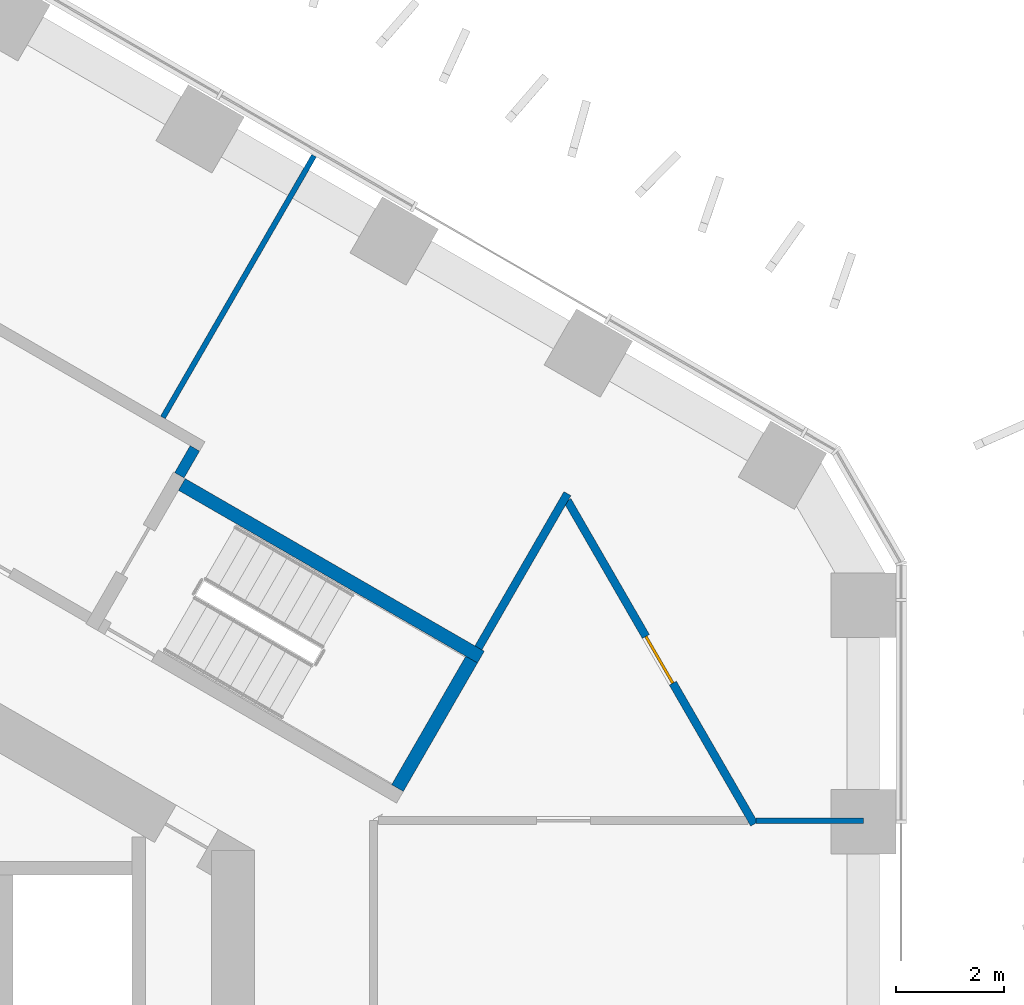
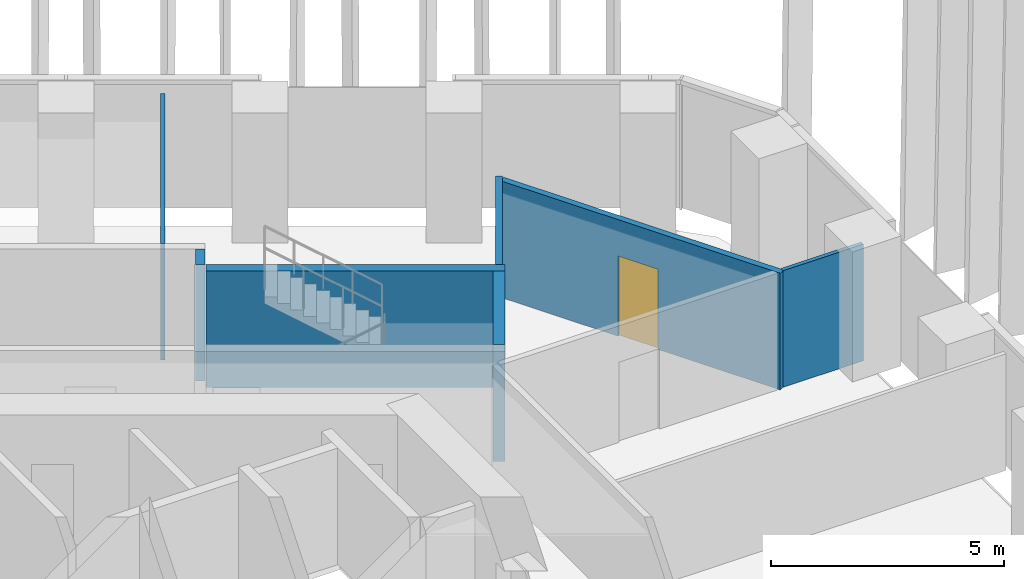
# One storey, part 16 of 20: 7 walls, 1 door, 1 opening.
"""IFC4 building model written with IfcOpenShell, lengths in metres."""

import ifcopenshell
import ifcopenshell.guid

model = None  # the IFC model being written
_history = None  # IfcOwnerHistory: only IFC2X3 demands one
_inside = {}  # id of a spatial element -> (the spatial element, [elements in it])
_under = {}  # id of a project, library or spatial element -> (it, [spatial elements below it])
_declared = {}  # id of a project -> (the project, [libraries it declares])
_typed = {}  # id of a type object -> (the type object, [elements of that type])
_made_of = {}  # id of a material, layer set ... -> (it, [elements and type objects made of it])


def new_model(schema):
    """Start an empty IFC model of exactly this schema.

    Asked for "IFC4X3", IfcOpenShell would pick the latest addendum, in which some entities
    have other attributes; the version numbers below select the first issue.
    IFC2X3 requires an IfcOwnerHistory on every rooted entity: one is made here for all.
    """
    global model, _history
    if schema == "IFC4X3":
        model = ifcopenshell.file(schema_version=(4, 3, 0, 0))
    else:
        model = ifcopenshell.file(schema=schema)
    _inside.clear()
    _under.clear()
    _declared.clear()
    _typed.clear()
    _made_of.clear()
    _history = None
    if model.schema == "IFC2X3":
        org = make("IfcOrganization", Name="unknown")
        user = make(
            "IfcPersonAndOrganization",
            ThePerson=make("IfcPerson", FamilyName="unknown"),
            TheOrganization=org,
        )
        app = make(
            "IfcApplication",
            ApplicationDeveloper=org,
            Version="unknown",
            ApplicationFullName="unknown",
            ApplicationIdentifier="unknown",
        )
        _history = make(
            "IfcOwnerHistory",
            OwningUser=user,
            OwningApplication=app,
            ChangeAction="ADDED",
            CreationDate=0,
        )
    return model


def make(cls, **values):
    """One entity of the class cls with the attributes given. An attribute that is None is left unset."""
    return model.create_entity(
        cls, **{name: value for name, value in values.items() if value is not None}
    )


def rooted(cls, **values):
    """An entity with a GlobalId (a new one), such as an element, a storey or a relation."""
    return make(cls, GlobalId=ifcopenshell.guid.new(), OwnerHistory=_history, **values)


def si_unit(unit_type, name, prefix=None):
    """IfcSIUnit, for example si_unit("LENGTHUNIT", "METRE", prefix="MILLI")."""
    return make("IfcSIUnit", UnitType=unit_type, Prefix=prefix, Name=name)


def assignment(units):
    """IfcUnitAssignment: the units of a project."""
    return None if units is None else make("IfcUnitAssignment", Units=units)


def point(xyz):
    """IfcCartesianPoint."""
    return None if xyz is None else make("IfcCartesianPoint", Coordinates=xyz)


def direction(xyz):
    """IfcDirection."""
    return None if xyz is None else make("IfcDirection", DirectionRatios=xyz)


def frame(location, z_axis=None, x_axis=None):
    """IfcAxis2Placement3D, a coordinate frame: its origin and axes. An axis left out is left unset."""
    return make(
        "IfcAxis2Placement3D",
        Location=point(location),
        Axis=direction(z_axis),
        RefDirection=direction(x_axis),
    )


def frame_2d(location, x_axis=None):
    """IfcAxis2Placement2D, a coordinate frame in the plane: its origin and x axis."""
    return make(
        "IfcAxis2Placement2D", Location=point(location), RefDirection=direction(x_axis)
    )


def origin():
    """The frame at (0, 0, 0) with its axes left unset."""
    return frame((0.0, 0.0, 0.0))


def place(relative_to, where):
    """IfcLocalPlacement: puts the frame where relative to a parent placement (None: the world)."""
    return make(
        "IfcLocalPlacement", PlacementRelTo=relative_to, RelativePlacement=where
    )


def context(
    kind, dimensions, precision=None, world=None, true_north=None, identifier=None
):
    """IfcGeometricRepresentationContext, for example the 3D "Model" context."""
    return make(
        "IfcGeometricRepresentationContext",
        ContextIdentifier=identifier,
        ContextType=kind,
        CoordinateSpaceDimension=dimensions,
        Precision=precision,
        WorldCoordinateSystem=world,
        TrueNorth=true_north,
    )


def subcontext(parent, identifier, kind, view, scale=None):
    """IfcGeometricRepresentationSubContext, for example "Body" below "Model"."""
    return make(
        "IfcGeometricRepresentationSubContext",
        ContextIdentifier=identifier,
        ContextType=kind,
        ParentContext=parent,
        TargetScale=scale,
        TargetView=view,
    )


def project(units=None, contexts=None):
    """IfcProject with its units and contexts."""
    return rooted(
        "IfcProject",
        Name="project",
        RepresentationContexts=contexts,
        UnitsInContext=assignment(units),
    )


def spatial(cls, under=None, at=None, **own):
    """A site, building, storey or space (cls), placed at a placement, below another one or the project."""
    s = rooted(cls, ObjectPlacement=at, **own)
    if under is not None:
        _under.setdefault(under.id(), (under, []))[1].append(s)
    return s


def profile(cls, at=None, kind="AREA", **sizes):
    """A parametric profile (cls). Its sizes go by their IFC names, for example OverallWidth=200.0."""
    return make(cls, ProfileType=kind, Position=at, **sizes)


def rectangle(**sizes):
    """IfcRectangleProfileDef."""
    return profile("IfcRectangleProfileDef", **sizes)


def extrude(swept, where, along, depth):
    """IfcExtrudedAreaSolid: the profile swept, set in the frame where, extruded along a direction by depth."""
    return make(
        "IfcExtrudedAreaSolid",
        SweptArea=swept,
        Position=where,
        ExtrudedDirection=direction(along),
        Depth=depth,
    )


def shape(context_of_items, identifier, shape_type, items):
    """IfcShapeRepresentation: the items that make up one representation, for example the "Body"."""
    return make(
        "IfcShapeRepresentation",
        ContextOfItems=context_of_items,
        RepresentationIdentifier=identifier,
        RepresentationType=shape_type,
        Items=items,
    )


def material(Name=None, Category=None):
    """IfcMaterial."""
    return make("IfcMaterial", Name=Name, Category=Category)


def layer(
    of_material, thickness, ventilated=None, Name=None, Category=None, Priority=None
):
    """IfcMaterialLayer: one layer of a wall or slab, of a material (None: an air gap)."""
    return make(
        "IfcMaterialLayer",
        Material=of_material,
        LayerThickness=thickness,
        IsVentilated=ventilated,
        Name=Name,
        Category=Category,
        Priority=Priority,
    )


def layer_set(layers, Name=None):
    """IfcMaterialLayerSet."""
    return make("IfcMaterialLayerSet", MaterialLayers=layers, LayerSetName=Name)


def made_of(thing, what):
    """Note that an element or type object is made of a material, layer set ...; save() writes the relation."""
    if what is not None:
        _made_of.setdefault(what.id(), (what, []))[1].append(thing)
    return thing


def type_object(cls, material=None, **own):
    """A type object (cls), such as IfcWallType, which elements share."""
    return made_of(rooted(cls, **own), material)


def element(
    cls,
    number,
    at=None,
    inside=None,
    cuts=None,
    type_object=None,
    material=None,
    context=None,
    identifier="Body",
    shape_type=None,
    held_by="IfcProductDefinitionShape",
    body=None,
    shapes=None,
    **own,
):
    """One element of the class cls, such as IfcWall. Its Tag is "e" and its number.

    at: its placement. inside: the storey or other place that contains it. cuts: it is an
    opening in that element (IfcRelVoidsElement). A single representation is given by context,
    identifier, shape_type and body (its items); several are given by shapes. held_by: the class
    of the entity that holds the representations. save() writes the other relations.
    """
    e = rooted(cls, Tag="e%d" % number, ObjectPlacement=at, **own)
    if body is not None:
        shapes = [shape(context, identifier, shape_type, body)]
    if shapes is not None:
        e.Representation = make(held_by, Representations=shapes)
    if inside is not None:
        _inside.setdefault(inside.id(), (inside, []))[1].append(e)
    if cuts is not None:
        rooted(
            "IfcRelVoidsElement", RelatingBuildingElement=cuts, RelatedOpeningElement=e
        )
    if type_object is not None:
        _typed.setdefault(type_object.id(), (type_object, []))[1].append(e)
    return made_of(e, material)


def fill(opening, filler):
    """IfcRelFillsElement: the door or window that sits in an opening."""
    return rooted(
        "IfcRelFillsElement",
        RelatingOpeningElement=opening,
        RelatedBuildingElement=filler,
    )


def aggregate(whole, parts):
    """IfcRelAggregates: a whole, such as a stair, and the parts it consists of."""
    return rooted("IfcRelAggregates", RelatingObject=whole, RelatedObjects=parts)


def save(model, path):
    """Write the relations noted so far, then the file.

    IfcRelAggregates (storeys below a building ...), IfcRelContainedInSpatialStructure (elements
    in a storey), IfcRelDefinesByType, IfcRelAssociatesMaterial and IfcRelDeclares: one each for
    every whole, place, type object, material and project.
    """
    for whole, parts in _under.values():
        aggregate(whole, parts)
    for where, things in _inside.values():
        rooted(
            "IfcRelContainedInSpatialStructure",
            RelatedElements=things,
            RelatingStructure=where,
        )
    for kind, things in _typed.values():
        rooted("IfcRelDefinesByType", RelatedObjects=things, RelatingType=kind)
    for what, things in _made_of.values():
        rooted("IfcRelAssociatesMaterial", RelatedObjects=things, RelatingMaterial=what)
    for by, libraries in _declared.values():
        rooted("IfcRelDeclares", RelatingContext=by, RelatedDefinitions=libraries)
    model.write(path)


model = new_model("IFC4")

# Units and contexts
model_context = context("Model", 3, precision=1e-05, world=origin(), true_north=direction((0.0, 1.0)))
body_context = subcontext(model_context, "Body", "Model", "MODEL_VIEW")
ifc_project = project(units=[si_unit("LENGTHUNIT", "METRE"), si_unit("AREAUNIT", "SQUARE_METRE"), si_unit("VOLUMEUNIT", "CUBIC_METRE"), si_unit("PLANEANGLEUNIT", "RADIAN"), si_unit("MASSUNIT", "GRAM", prefix="KILO")], contexts=[model_context])

# Site, building, storey
site_placement = place(None, origin())
site = spatial("IfcSite", under=ifc_project, at=site_placement, CompositionType="ELEMENT")
building_placement = place(site_placement, origin())
building = spatial("IfcBuilding", under=site, at=building_placement, Name="Ayvan Gate Tower", CompositionType="ELEMENT")
storey_placement = place(building_placement, frame((0.0, 0.0, 35.699951171875)))
storey = spatial("IfcBuildingStorey", under=building, at=storey_placement, Name="L08", CompositionType="ELEMENT", Elevation=35.699951171875)

# Wall
ifc_material_1 = material(Name="Plasterboard on steel stud", Category="steel")
ifc_layer_1 = layer(ifc_material_1, 0.14990234375)
ifc_layer_set_1 = layer_set([ifc_layer_1], Name="Plasterboard on steel stud")
wall_type_1 = type_object("IfcWallType", Name="WT-CORR-150", PredefinedType="PARTITIONING", material=ifc_layer_set_1)
wall_1_placement = place(storey_placement, frame((13.647705078125, 9.23876953125, 0.0), z_axis=(0.0, 0.0, 1.0), x_axis=(0.500004084281, 0.866023045711, 0.0)))
element("IfcWall", 1, at=wall_1_placement, inside=storey, type_object=wall_type_1, Name="IW-L08-110", PredefinedType="PARTITIONING", context=body_context, shape_type="SweptSolid", body=[
    extrude(rectangle(XDim=3.3017578125, YDim=0.14990234375, at=frame_2d((1.65087890625, 0.0))), origin(), (0.0, 0.0, 1.0), 3.050048828125),
])

# Wall, opening, door
wall_2_placement = place(storey_placement, frame((15.298583984375, 11.96826171875, 0.0), z_axis=(0.0, 0.0, 1.0), x_axis=(0.499996158224, -0.866027621823, 0.0)))
wall_2 = element("IfcWall", 2, at=wall_2_placement, inside=storey, type_object=wall_type_1, Name="IW-L08-113", PredefinedType="PARTITIONING", context=body_context, shape_type="SweptSolid", body=[
    extrude(rectangle(XDim=6.92333984375, YDim=0.14990234375, at=frame_2d((3.461669921875, 0.0))), origin(), (0.0, 0.0, 1.0), 3.050048828125),
])
opening_placement = place(wall_2_placement, frame((2.90673828125, 0.0, 0.0)))
opening = element("IfcOpeningElement", 3, at=opening_placement, cuts=wall_2, Name="Opening L08-D19", PredefinedType="OPENING", context=body_context, shape_type="SweptSolid", body=[
    extrude(rectangle(XDim=1.0, YDim=2.10009765625, at=frame_2d((0.5, 1.050048828125))), frame((0.0, 0.0849609375, 0.0), z_axis=(0.0, -1.0, 0.0), x_axis=(1.0, 0.0, 0.0)), (0.0, 0.0, 1.0), 0.169921875),
])
ifc_material_2 = material(Name="Timber door leaf", Category="wood")
door_type = type_object("IfcDoorType", Name="DT-1000", OperationType="NOTDEFINED", PredefinedType="DOOR", material=ifc_material_2)
door_placement = place(opening_placement, origin())
door = element("IfcDoor", 4, at=door_placement, inside=storey, type_object=door_type, Name="ID-L08-019", OperationType="SINGLE_SWING_LEFT", OverallHeight=2.10009765625, OverallWidth=1.0, PredefinedType="DOOR", context=body_context, shape_type="SweptSolid", body=[
    extrude(rectangle(XDim=1.0, YDim=2.10009765625, at=frame_2d((0.5, 1.050048828125))), frame((0.0, 0.02490234375, 0.0), z_axis=(0.0, -1.0, 0.0), x_axis=(1.0, 0.0, 0.0)), (0.0, 0.0, 1.0), 0.050048828125),
])
fill(opening, door)

# Walls
ifc_layer_2 = layer(ifc_material_1, 0.10009765625)
ifc_layer_set_2 = layer_set([ifc_layer_2], Name="Plasterboard on steel stud")
wall_type_2 = type_object("IfcWallType", Name="WT-PART-100", PredefinedType="PARTITIONING", material=ifc_layer_set_2)
wall_3_placement = place(storey_placement, frame((7.800048828125, 13.510009765625, 0.0), z_axis=(0.0, 0.0, 1.0), x_axis=(0.499991527163, 0.866030295524, 0.0)))
element("IfcWall", 5, at=wall_3_placement, inside=storey, type_object=wall_type_2, Name="IW-L08-094", PredefinedType="PARTITIONING", context=body_context, shape_type="SweptSolid", body=[
    extrude(rectangle(XDim=5.6025390625, YDim=0.10009765625, at=frame_2d((2.80126953125, 0.0))), origin(), (0.0, 0.0, 1.0), 3.050048828125),
])
wall_4_placement = place(storey_placement, frame((18.797607421875, 6.037353515625, 0.0), z_axis=(0.0, 0.0, 1.0), x_axis=(1.0, 0.0, 0.0)))
element("IfcWall", 6, at=wall_4_placement, inside=storey, type_object=wall_type_2, Name="IW-L08-115", PredefinedType="PARTITIONING", context=body_context, shape_type="SweptSolid", body=[
    extrude(rectangle(XDim=1.987060546875, YDim=0.10009765625, at=frame_2d((0.99365234375, 0.0))), origin(), (0.0, 0.0, 1.0), 3.050048828125),
])
ifc_layer_3 = layer(ifc_material_1, 0.199951171875)
ifc_layer_set_3 = layer_set([ifc_layer_3], Name="Plasterboard on steel stud")
wall_type_3 = type_object("IfcWallType", Name="WT-RATED-200", PredefinedType="PARTITIONING", material=ifc_layer_set_3)
wall_5_placement = place(storey_placement, frame((8.392822265625, 12.936767578125, 0.0), z_axis=(0.0, 0.0, 1.0), x_axis=(-0.500065409566, -0.86598763626, 0.0)))
element("IfcWall", 7, at=wall_5_placement, inside=storey, type_object=wall_type_3, Name="IW-L08-096", PredefinedType="PARTITIONING", context=body_context, shape_type="SweptSolid", body=[
    extrude(rectangle(XDim=0.5751953125, YDim=0.199951171875, at=frame_2d((0.28759765625, 0.0))), origin(), (0.0, 0.0, 1.0), 3.050048828125),
])
ifc_material_3 = material(Name="Concrete C50/60", Category="concrete")
ifc_layer_4 = layer(ifc_material_3, 0.25)
ifc_layer_set_4 = layer_set([ifc_layer_4], Name="Concrete C50/60")
wall_type_4 = type_object("IfcWallType", Name="WT-RC-250", PredefinedType="SHEAR", material=ifc_layer_set_4)
wall_6_placement = place(storey_placement, frame((8.151123046875, 12.26806640625, 0.0), z_axis=(0.0, 0.0, 1.0), x_axis=(0.866025499775, -0.499999833739, 0.0)))
element("IfcWall", 8, at=wall_6_placement, inside=storey, type_object=wall_type_4, Name="IW-L08-095", PredefinedType="SHEAR", context=body_context, shape_type="SweptSolid", body=[
    extrude(rectangle(XDim=6.39990234375, YDim=0.25, at=frame_2d((3.199951171875, 0.0))), origin(), (0.0, 0.0, 1.0), 3.050048828125),
])
wall_7_placement = place(storey_placement, frame((13.52294921875, 9.022216796875, 0.0), z_axis=(0.0, 0.0, 1.0), x_axis=(-0.500034990121, -0.866005201286, 0.0)))
element("IfcWall", 9, at=wall_7_placement, inside=storey, type_object=wall_type_4, Name="IW-L08-111", PredefinedType="SHEAR", context=body_context, shape_type="SweptSolid", body=[
    extrude(rectangle(XDim=2.749755859375, YDim=0.25, at=frame_2d((1.375, 0.0))), origin(), (0.0, 0.0, 1.0), 3.050048828125),
])

save(model, "model.ifc")
